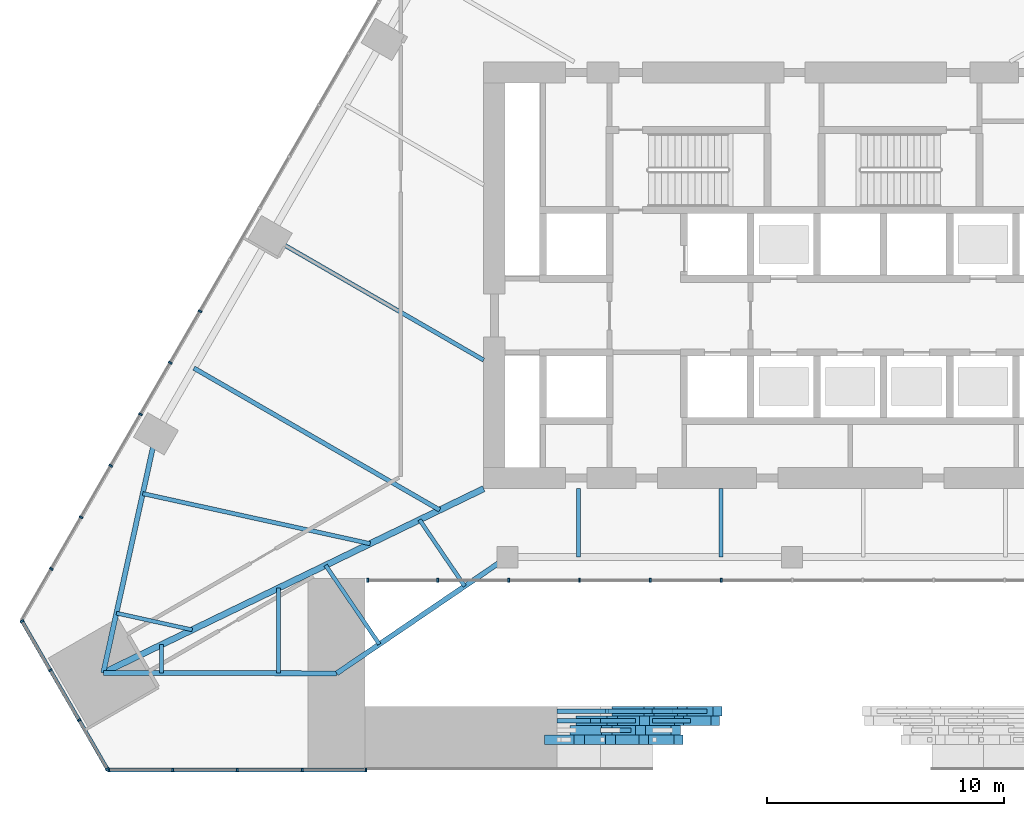
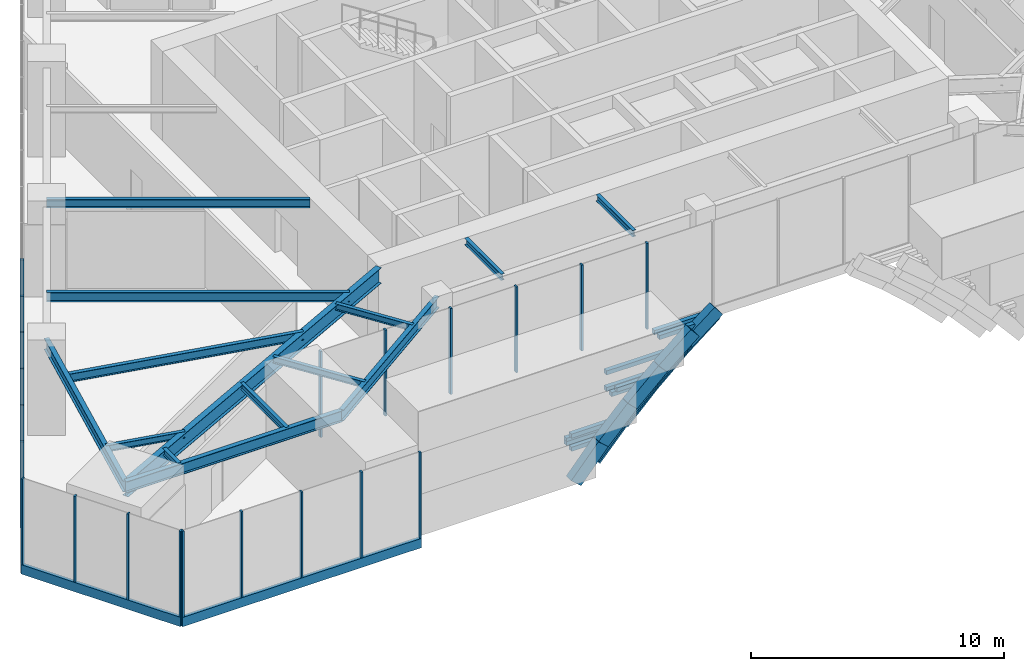
# One storey, part 2 of 23: 37 members, 24 beams, 4 elements without a shape of their own.
"""IFC4 building model written with IfcOpenShell, lengths in metres."""

from ifc_helpers import new_model, si_unit, direction, frame, origin, origin_2d, place, context, subcontext, project, spatial, rectangle, i_section, extrude, material, layer, layer_set, material_profile, profile_set, type_object, element, aggregate, save


model = new_model("IFC4")

# Units and contexts
model_context = context("Model", 3, precision=1e-05, world=origin(), true_north=direction((0.0, 1.0)))
body_context = subcontext(model_context, "Body", "Model", "MODEL_VIEW")
ifc_project = project(units=[si_unit("LENGTHUNIT", "METRE"), si_unit("AREAUNIT", "SQUARE_METRE"), si_unit("VOLUMEUNIT", "CUBIC_METRE"), si_unit("PLANEANGLEUNIT", "RADIAN"), si_unit("MASSUNIT", "GRAM", prefix="KILO")], contexts=[model_context])

# Site, building, storey
site_placement = place(None, origin())
site = spatial("IfcSite", under=ifc_project, at=site_placement, CompositionType="ELEMENT")
building_placement = place(site_placement, origin())
building = spatial("IfcBuilding", under=site, at=building_placement, Name="Firuza Gate Tower and Library", CompositionType="ELEMENT")
storey_placement = place(building_placement, frame((0.0, 0.0, 21.800048828125)))
storey = spatial("IfcBuildingStorey", under=building, at=storey_placement, Name="L04", CompositionType="ELEMENT", Elevation=21.800048828125)

# Members
ifc_material_1 = material(Name="Concrete C60/75", Category="concrete")
ifc_material_profile_1 = material_profile(ifc_material_1, rectangle(XDim=0.39990234375, YDim=0.60009765625, at=origin_2d()))
ifc_profile_set_1 = profile_set([ifc_material_profile_1], Name="Concrete C60/75")
member_type_1 = type_object("IfcMemberType", Name="Arch rib 600x400", PredefinedType="USERDEFINED", material=ifc_profile_set_1)
for number, where, z_axis, x_axis, name in (
    (1, (64.787109375, 55.415283203125, -0.5966796875), (0.64966441511, 0.0, 0.760221117662), (0.0, 1.0, 0.0), "Arch rib 1.13"),
    (2, (66.028076171875, 55.415283203125, 0.85546875), (0.691602712438, 0.0, 0.72227812382), (0.0, 1.0, 0.0), "Arch rib 1.14"),
):
    element("IfcMember", number, at=place(storey_placement, frame(where, z_axis=z_axis, x_axis=x_axis)), inside=storey, type_object=member_type_1, Name=name, ObjectType="ARCH RIB", PredefinedType="USERDEFINED", context=body_context, shape_type="SweptSolid", body=[
        extrude(rectangle(XDim=0.39990234375, YDim=0.60009765625, at=origin_2d()), origin(), (0.0, 0.0, 1.0), 1.91015625),
    ])
member_1_placement = place(storey_placement, frame((67.34912109375, 55.415283203125, 2.235107421875), z_axis=(0.731407976441, 0.0, 0.681940152798), x_axis=(0.0, 1.0, 0.0)))
element("IfcMember", 3, at=member_1_placement, inside=storey, type_object=member_type_1, Name="Arch rib 1.15", ObjectType="ARCH RIB", PredefinedType="USERDEFINED", context=body_context, shape_type="SweptSolid", body=[
    extrude(rectangle(XDim=0.39990234375, YDim=0.60009765625, at=origin_2d()), origin(), (0.0, 0.0, 1.0), 1.909912109375),
])
member_2_placement = place(storey_placement, frame((68.74609375, 55.415283203125, 3.53759765625), z_axis=(0.768703002111, 0.0, 0.639605890017), x_axis=(0.0, 1.0, 0.0)))
element("IfcMember", 4, at=member_2_placement, inside=storey, type_object=member_type_1, Name="Arch rib 1.16", ObjectType="ARCH RIB", PredefinedType="USERDEFINED", context=body_context, shape_type="SweptSolid", body=[
    extrude(rectangle(XDim=0.39990234375, YDim=0.60009765625, at=origin_2d()), origin(), (0.0, 0.0, 1.0), 1.91015625),
])
member_3_placement = place(storey_placement, frame((65.8623046875, 55.8154296875, -0.0439453125), z_axis=(0.673773716348, 0.0, 0.738937736997), x_axis=(0.0, 1.0, 0.0)))
element("IfcMember", 5, at=member_3_placement, inside=storey, type_object=member_type_1, Name="Arch rib 2.13", ObjectType="ARCH RIB", PredefinedType="USERDEFINED", context=body_context, shape_type="SweptSolid", body=[
    extrude(rectangle(XDim=0.39990234375, YDim=0.60009765625, at=origin_2d()), origin(), (0.0, 0.0, 1.0), 1.974365234375),
])
member_4_placement = place(storey_placement, frame((67.192626953125, 55.8154296875, 1.4150390625), z_axis=(0.716259700509, 0.0, 0.697833820782), x_axis=(0.0, 1.0, 0.0)))
element("IfcMember", 6, at=member_4_placement, inside=storey, type_object=member_type_1, Name="Arch rib 2.14", ObjectType="ARCH RIB", PredefinedType="USERDEFINED", context=body_context, shape_type="SweptSolid", body=[
    extrude(rectangle(XDim=0.39990234375, YDim=0.60009765625, at=origin_2d()), origin(), (0.0, 0.0, 1.0), 1.97412109375),
])
member_5_placement = place(storey_placement, frame((68.606689453125, 55.8154296875, 2.792724609375), z_axis=(0.756325143026, 0.0, 0.654195901872), x_axis=(0.0, 1.0, 0.0)))
element("IfcMember", 7, at=member_5_placement, inside=storey, type_object=member_type_1, Name="Arch rib 2.15", ObjectType="ARCH RIB", PredefinedType="USERDEFINED", context=body_context, shape_type="SweptSolid", body=[
    extrude(rectangle(XDim=0.39990234375, YDim=0.60009765625, at=origin_2d()), origin(), (0.0, 0.0, 1.0), 1.974609375),
])
member_6_placement = place(storey_placement, frame((66.119384765625, 56.21533203125, -0.466552734375), z_axis=(0.668329426171, 0.0, 0.743865430111), x_axis=(0.0, 1.0, 0.0)))
element("IfcMember", 8, at=member_6_placement, inside=storey, type_object=member_type_1, Name="Arch rib 3.13", ObjectType="ARCH RIB", PredefinedType="USERDEFINED", context=body_context, shape_type="SweptSolid", body=[
    extrude(rectangle(XDim=0.39990234375, YDim=0.60009765625, at=origin_2d()), origin(), (0.0, 0.0, 1.0), 1.932861328125),
])
for number, where, z_axis, x_axis, name in (
    (9, (67.4111328125, 56.21533203125, 0.97119140625), (0.710697844897, 0.0, 0.703497386817), (0.0, 1.0, 0.0), "Arch rib 3.14"),
    (10, (68.78466796875, 56.21533203125, 2.330810546875), (0.750648355177, 0.0, 0.660701934967), (0.0, 1.0, 0.0), "Arch rib 3.15"),
    (11, (70.2353515625, 56.21533203125, 3.607666015625), (0.787989900437, 0.0, 0.615688165234), (0.0, 1.0, 0.0), "Arch rib 3.16"),
):
    element("IfcMember", number, at=place(storey_placement, frame(where, z_axis=z_axis, x_axis=x_axis)), inside=storey, type_object=member_type_1, Name=name, ObjectType="ARCH RIB", PredefinedType="USERDEFINED", context=body_context, shape_type="SweptSolid", body=[
        extrude(rectangle(XDim=0.39990234375, YDim=0.60009765625, at=origin_2d()), origin(), (0.0, 0.0, 1.0), 1.9326171875),
    ])
member_7_placement = place(storey_placement, frame((67.6298828125, 56.615478515625, 0.527587890625), z_axis=(0.704779089361, 0.0, 0.709426835691), x_axis=(0.0, 1.0, 0.0)))
element("IfcMember", 12, at=member_7_placement, inside=storey, type_object=member_type_1, Name="Arch rib 4.14", ObjectType="ARCH RIB", PredefinedType="USERDEFINED", context=body_context, shape_type="SweptSolid", body=[
    extrude(rectangle(XDim=0.39990234375, YDim=0.60009765625, at=origin_2d()), origin(), (0.0, 0.0, 1.0), 1.89111328125),
])
member_8_placement = place(storey_placement, frame((68.962646484375, 56.615478515625, 1.869140625), z_axis=(0.744717683985, 0.0, 0.667379630465), x_axis=(0.0, 1.0, 0.0)))
element("IfcMember", 13, at=member_8_placement, inside=storey, type_object=member_type_1, Name="Arch rib 4.15", ObjectType="ARCH RIB", PredefinedType="USERDEFINED", context=body_context, shape_type="SweptSolid", body=[
    extrude(rectangle(XDim=0.39990234375, YDim=0.60009765625, at=origin_2d()), origin(), (0.0, 0.0, 1.0), 1.890869140625),
])
member_9_placement = place(storey_placement, frame((70.370849609375, 56.615478515625, 3.131103515625), z_axis=(0.782089044866, 0.0, 0.623166691906), x_axis=(0.0, 1.0, 0.0)))
element("IfcMember", 14, at=member_9_placement, inside=storey, type_object=member_type_1, Name="Arch rib 4.16", ObjectType="ARCH RIB", PredefinedType="USERDEFINED", context=body_context, shape_type="SweptSolid", body=[
    extrude(rectangle(XDim=0.39990234375, YDim=0.60009765625, at=origin_2d()), origin(), (0.0, 0.0, 1.0), 1.89111328125),
])

# Beams
ifc_material_2 = material(Name="Concrete C60/75", Category="concrete")
ifc_material_profile_2 = material_profile(ifc_material_2, rectangle(XDim=0.199951171875, YDim=0.199951171875, at=origin_2d()))
ifc_profile_set_2 = profile_set([ifc_material_profile_2], Name="Concrete C60/75")
beam_type_1 = type_object("IfcBeamType", Name="Arch rib bracket 200x200", PredefinedType="BEAM", material=ifc_profile_set_2)
beam_1_placement = place(storey_placement, frame((66.93017578125, 55.8154296875, 2.8427734375), z_axis=(1.0, 0.0, 0.0), x_axis=(0.0, 1.0, 0.0)))
element("IfcBeam", 15, at=beam_1_placement, inside=storey, type_object=beam_type_1, Name="Arch rib bracket 2.15", PredefinedType="BEAM", context=body_context, shape_type="SweptSolid", body=[
    extrude(rectangle(XDim=0.199951171875, YDim=0.199951171875, at=origin_2d()), origin(), (0.0, 0.0, 1.0), 1.285888671875),
])
beam_2_placement = place(storey_placement, frame((65.093994140625, 56.21533203125, 0.385986328125), z_axis=(1.0, 0.0, 0.0), x_axis=(0.0, 1.0, 0.0)))
element("IfcBeam", 16, at=beam_2_placement, inside=storey, type_object=beam_type_1, Name="Arch rib bracket 3.13", PredefinedType="BEAM", context=body_context, shape_type="SweptSolid", body=[
    extrude(rectangle(XDim=0.199951171875, YDim=0.199951171875, at=origin_2d()), origin(), (0.0, 0.0, 1.0), 1.398193359375),
])
beam_3_placement = place(storey_placement, frame((65.093994140625, 56.21533203125, 1.02099609375), z_axis=(1.0, 0.0, 0.0), x_axis=(0.0, 1.0, 0.0)))
element("IfcBeam", 17, at=beam_3_placement, inside=storey, type_object=beam_type_1, Name="Arch rib bracket 3.14", PredefinedType="BEAM", context=body_context, shape_type="SweptSolid", body=[
    extrude(rectangle(XDim=0.199951171875, YDim=0.199951171875, at=origin_2d()), origin(), (0.0, 0.0, 1.0), 1.951171875),
])
beam_4_placement = place(storey_placement, frame((66.93017578125, 56.21533203125, 2.380859375), z_axis=(1.0, 0.0, 0.0), x_axis=(0.0, 1.0, 0.0)))
element("IfcBeam", 18, at=beam_4_placement, inside=storey, type_object=beam_type_1, Name="Arch rib bracket 3.15", PredefinedType="BEAM", context=body_context, shape_type="SweptSolid", body=[
    extrude(rectangle(XDim=0.199951171875, YDim=0.199951171875, at=origin_2d()), origin(), (0.0, 0.0, 1.0), 1.46728515625),
])
beam_5_placement = place(storey_placement, frame((69.109375, 56.21533203125, 4.365966796875), z_axis=(1.0, 0.0, 0.0), x_axis=(0.0, 1.0, 0.0)))
element("IfcBeam", 19, at=beam_5_placement, inside=storey, type_object=beam_type_1, Name="Arch rib bracket 3.16", PredefinedType="BEAM", context=body_context, shape_type="SweptSolid", body=[
    extrude(rectangle(XDim=0.199951171875, YDim=0.199951171875, at=origin_2d()), origin(), (0.0, 0.0, 1.0), 1.619384765625),
])
beam_6_placement = place(storey_placement, frame((65.093994140625, 56.615478515625, 0.411865234375), z_axis=(1.0, 0.0, 0.0), x_axis=(0.0, 1.0, 0.0)))
element("IfcBeam", 20, at=beam_6_placement, inside=storey, type_object=beam_type_1, Name="Arch rib bracket 4.13", PredefinedType="BEAM", context=body_context, shape_type="SweptSolid", body=[
    extrude(rectangle(XDim=0.199951171875, YDim=0.199951171875, at=origin_2d()), origin(), (0.0, 0.0, 1.0), 2.04296875),
])
beam_7_placement = place(storey_placement, frame((65.093994140625, 56.615478515625, 0.57763671875), z_axis=(1.0, 0.0, 0.0), x_axis=(0.0, 1.0, 0.0)))
element("IfcBeam", 21, at=beam_7_placement, inside=storey, type_object=beam_type_1, Name="Arch rib bracket 4.14", PredefinedType="BEAM", context=body_context, shape_type="SweptSolid", body=[
    extrude(rectangle(XDim=0.199951171875, YDim=0.199951171875, at=origin_2d()), origin(), (0.0, 0.0, 1.0), 2.172607421875),
])
beam_8_placement = place(storey_placement, frame((66.93017578125, 56.615478515625, 2.384033203125), z_axis=(1.0, 0.0, 0.0), x_axis=(0.0, 1.0, 0.0)))
element("IfcBeam", 22, at=beam_8_placement, inside=storey, type_object=beam_type_1, Name="Arch rib bracket 4.15", PredefinedType="BEAM", context=body_context, shape_type="SweptSolid", body=[
    extrude(rectangle(XDim=0.199951171875, YDim=0.199951171875, at=origin_2d()), origin(), (0.0, 0.0, 1.0), 2.16748046875),
])
beam_9_placement = place(storey_placement, frame((66.93017578125, 56.615478515625, 3.18115234375), z_axis=(1.0, 0.0, 0.0), x_axis=(0.0, 1.0, 0.0)))
element("IfcBeam", 23, at=beam_9_placement, inside=storey, type_object=beam_type_1, Name="Arch rib bracket 4.16", PredefinedType="BEAM", context=body_context, shape_type="SweptSolid", body=[
    extrude(rectangle(XDim=0.199951171875, YDim=0.199951171875, at=origin_2d()), origin(), (0.0, 0.0, 1.0), 3.031982421875),
])
beam_10_placement = place(storey_placement, frame((69.109375, 56.615478515625, 4.359619140625), z_axis=(1.0, 0.0, 0.0), x_axis=(0.0, 1.0, 0.0)))
element("IfcBeam", 24, at=beam_10_placement, inside=storey, type_object=beam_type_1, Name="Arch rib bracket 4.17", PredefinedType="BEAM", context=body_context, shape_type="SweptSolid", body=[
    extrude(rectangle(XDim=0.199951171875, YDim=0.199951171875, at=origin_2d()), origin(), (0.0, 0.0, 1.0), 2.30126953125),
])

# Curtain wall, members
ifc_material_3 = material(Name="Aluminium 6063-T6", Category="aluminium")
ifc_layer_1 = layer(ifc_material_3, 0.14990234375)
ifc_layer_set_1 = layer_set([ifc_layer_1], Name="Stick curtain wall, podium")
curtain_wall_type_1 = type_object("IfcCurtainWallType", Name="Stick curtain wall, podium", PredefinedType="NOTDEFINED", material=ifc_layer_set_1)
placement = place(storey_placement, origin())
curtain_wall_1 = element("IfcCurtainWall", 25, at=placement, inside=storey, type_object=curtain_wall_type_1, Name="CW5 L04 S", PredefinedType="NOTDEFINED")
ifc_material_4 = material(Name="Aluminium 6063-T6", Category="aluminium")
ifc_material_profile_3 = material_profile(ifc_material_4, rectangle(XDim=0.14990234375, YDim=0.080078125, at=origin_2d()))
ifc_profile_set_3 = profile_set([ifc_material_profile_3], Name="Aluminium 6063-T6")
member_type_2 = type_object("IfcMemberType", Name="Curtain wall mullion 80x150", PredefinedType="MULLION", material=ifc_profile_set_3)
member_10_placement = place(storey_placement, frame((46.19677734375, 54.140380859375, 0.14990234375), z_axis=(0.0, 0.0, 1.0), x_axis=(0.0, 1.0, 0.0)))
member_10 = element("IfcMember", 26, at=member_10_placement, type_object=member_type_2, Name="Mullion", PredefinedType="MULLION", context=body_context, shape_type="SweptSolid", body=[
    extrude(rectangle(XDim=0.14990234375, YDim=0.080078125, at=origin_2d()), origin(), (0.0, 0.0, 1.0), 4.150146484375),
])
member_11_placement = place(storey_placement, frame((48.88623046875, 54.140380859375, 0.14990234375), z_axis=(0.0, 0.0, 1.0), x_axis=(0.0, 1.0, 0.0)))
member_11 = element("IfcMember", 27, at=member_11_placement, type_object=member_type_2, Name="Mullion", PredefinedType="MULLION", context=body_context, shape_type="SweptSolid", body=[
    extrude(rectangle(XDim=0.14990234375, YDim=0.080078125, at=origin_2d()), origin(), (0.0, 0.0, 1.0), 4.150146484375),
])
member_12_placement = place(storey_placement, frame((51.615966796875, 54.140380859375, 0.14990234375), z_axis=(0.0, 0.0, 1.0), x_axis=(0.0, 1.0, 0.0)))
member_12 = element("IfcMember", 28, at=member_12_placement, type_object=member_type_2, Name="Mullion", PredefinedType="MULLION", context=body_context, shape_type="SweptSolid", body=[
    extrude(rectangle(XDim=0.14990234375, YDim=0.080078125, at=origin_2d()), origin(), (0.0, 0.0, 1.0), 4.150146484375),
])
member_13_placement = place(storey_placement, frame((54.345458984375, 54.140380859375, 0.14990234375), z_axis=(0.0, 0.0, 1.0), x_axis=(0.0, 1.0, 0.0)))
member_13 = element("IfcMember", 29, at=member_13_placement, type_object=member_type_2, Name="Mullion", PredefinedType="MULLION", context=body_context, shape_type="SweptSolid", body=[
    extrude(rectangle(XDim=0.14990234375, YDim=0.080078125, at=origin_2d()), origin(), (0.0, 0.0, 1.0), 4.150146484375),
])
member_14_placement = place(storey_placement, frame((57.034912109375, 54.140380859375, 0.14990234375), z_axis=(0.0, 0.0, 1.0), x_axis=(0.0, 1.0, 0.0)))
member_14 = element("IfcMember", 30, at=member_14_placement, type_object=member_type_2, Name="Mullion", PredefinedType="MULLION", context=body_context, shape_type="SweptSolid", body=[
    extrude(rectangle(XDim=0.14990234375, YDim=0.080078125, at=origin_2d()), origin(), (0.0, 0.0, 1.0), 4.150146484375),
])

ifc_material_5 = material(Name="Aluminium 6063-T6", Category="aluminium")
ifc_layer_2 = layer(ifc_material_5, 0.14990234375)
ifc_layer_set_2 = layer_set([ifc_layer_2], Name="Stick curtain wall, gate lobby")
curtain_wall_type_2 = type_object("IfcCurtainWallType", Name="Stick curtain wall, gate lobby", PredefinedType="NOTDEFINED", material=ifc_layer_set_2)
curtain_wall_2 = element("IfcCurtainWall", 31, at=placement, inside=storey, type_object=curtain_wall_type_2, Name="CW7 L04 gate lobby", PredefinedType="NOTDEFINED")
member_15_placement = place(storey_placement, frame((57.114990234375, 62.140380859375, 0.14990234375), z_axis=(0.0, 0.0, 1.0), x_axis=(0.0, 1.0, 0.0)))
member_15 = element("IfcMember", 32, at=member_15_placement, type_object=member_type_2, Name="Mullion", PredefinedType="MULLION", context=body_context, shape_type="SweptSolid", body=[
    extrude(rectangle(XDim=0.14990234375, YDim=0.080078125, at=origin_2d()), origin(), (0.0, 0.0, 1.0), 4.150146484375),
])
member_16_placement = place(storey_placement, frame((60.0625, 62.140380859375, 0.14990234375), z_axis=(0.0, 0.0, 1.0), x_axis=(0.0, 1.0, 0.0)))
member_16 = element("IfcMember", 33, at=member_16_placement, type_object=member_type_2, Name="Mullion", PredefinedType="MULLION", context=body_context, shape_type="SweptSolid", body=[
    extrude(rectangle(XDim=0.14990234375, YDim=0.080078125, at=origin_2d()), origin(), (0.0, 0.0, 1.0), 4.150146484375),
])
member_17_placement = place(storey_placement, frame((63.050048828125, 62.140380859375, 0.14990234375), z_axis=(0.0, 0.0, 1.0), x_axis=(0.0, 1.0, 0.0)))
member_17 = element("IfcMember", 34, at=member_17_placement, type_object=member_type_2, Name="Mullion", PredefinedType="MULLION", context=body_context, shape_type="SweptSolid", body=[
    extrude(rectangle(XDim=0.14990234375, YDim=0.080078125, at=origin_2d()), origin(), (0.0, 0.0, 1.0), 4.150146484375),
])
member_18_placement = place(storey_placement, frame((66.03759765625, 62.140380859375, 0.14990234375), z_axis=(0.0, 0.0, 1.0), x_axis=(0.0, 1.0, 0.0)))
member_18 = element("IfcMember", 35, at=member_18_placement, type_object=member_type_2, Name="Mullion", PredefinedType="MULLION", context=body_context, shape_type="SweptSolid", body=[
    extrude(rectangle(XDim=0.14990234375, YDim=0.080078125, at=origin_2d()), origin(), (0.0, 0.0, 1.0), 4.150146484375),
])
member_19_placement = place(storey_placement, frame((69.02490234375, 62.140380859375, 0.14990234375), z_axis=(0.0, 0.0, 1.0), x_axis=(0.0, 1.0, 0.0)))
member_19 = element("IfcMember", 36, at=member_19_placement, type_object=member_type_2, Name="Mullion", PredefinedType="MULLION", context=body_context, shape_type="SweptSolid", body=[
    extrude(rectangle(XDim=0.14990234375, YDim=0.080078125, at=origin_2d()), origin(), (0.0, 0.0, 1.0), 4.150146484375),
])
member_20_placement = place(storey_placement, frame((72.012451171875, 62.140380859375, 0.14990234375), z_axis=(0.0, 0.0, 1.0), x_axis=(0.0, 1.0, 0.0)))
member_20 = element("IfcMember", 37, at=member_20_placement, type_object=member_type_2, Name="Mullion", PredefinedType="MULLION", context=body_context, shape_type="SweptSolid", body=[
    extrude(rectangle(XDim=0.14990234375, YDim=0.080078125, at=origin_2d()), origin(), (0.0, 0.0, 1.0), 4.150146484375),
])
aggregate(curtain_wall_2, [member_15, member_16, member_17, member_18, member_19, member_20])

curtain_wall_3 = element("IfcCurtainWall", 38, at=placement, inside=storey, type_object=curtain_wall_type_1, Name="CW5 L04 W", PredefinedType="NOTDEFINED")
member_21_placement = place(storey_placement, frame((50.037841796875, 73.4833984375, 0.14990234375), z_axis=(0.0, 0.0, 1.0), x_axis=(0.866025403784, -0.5, 0.0)))
member_21 = element("IfcMember", 39, at=member_21_placement, type_object=member_type_2, Name="Mullion", PredefinedType="MULLION", context=body_context, shape_type="SweptSolid", body=[
    extrude(rectangle(XDim=0.14990234375, YDim=0.080078125, at=origin_2d()), origin(), (0.0, 0.0, 1.0), 4.150146484375),
])
member_22_placement = place(storey_placement, frame((48.78369140625, 71.311279296875, 0.14990234375), z_axis=(0.0, 0.0, 1.0), x_axis=(0.866025403784, -0.5, 0.0)))
member_22 = element("IfcMember", 40, at=member_22_placement, type_object=member_type_2, Name="Mullion", PredefinedType="MULLION", context=body_context, shape_type="SweptSolid", body=[
    extrude(rectangle(XDim=0.14990234375, YDim=0.080078125, at=origin_2d()), origin(), (0.0, 0.0, 1.0), 4.150146484375),
])
member_23_placement = place(storey_placement, frame((47.529541015625, 69.13916015625, 0.14990234375), z_axis=(0.0, 0.0, 1.0), x_axis=(0.866025403784, -0.5, 0.0)))
member_23 = element("IfcMember", 41, at=member_23_placement, type_object=member_type_2, Name="Mullion", PredefinedType="MULLION", context=body_context, shape_type="SweptSolid", body=[
    extrude(rectangle(XDim=0.14990234375, YDim=0.080078125, at=origin_2d()), origin(), (0.0, 0.0, 1.0), 4.150146484375),
])
member_24_placement = place(storey_placement, frame((46.275634765625, 66.967041015625, 0.14990234375), z_axis=(0.0, 0.0, 1.0), x_axis=(0.866025403784, -0.5, 0.0)))
member_24 = element("IfcMember", 42, at=member_24_placement, type_object=member_type_2, Name="Mullion", PredefinedType="MULLION", context=body_context, shape_type="SweptSolid", body=[
    extrude(rectangle(XDim=0.14990234375, YDim=0.080078125, at=origin_2d()), origin(), (0.0, 0.0, 1.0), 4.150146484375),
])
member_25_placement = place(storey_placement, frame((45.021484375, 64.794921875, 0.14990234375), z_axis=(0.0, 0.0, 1.0), x_axis=(0.866025403784, -0.5, 0.0)))
member_25 = element("IfcMember", 43, at=member_25_placement, type_object=member_type_2, Name="Mullion", PredefinedType="MULLION", context=body_context, shape_type="SweptSolid", body=[
    extrude(rectangle(XDim=0.14990234375, YDim=0.080078125, at=origin_2d()), origin(), (0.0, 0.0, 1.0), 4.150146484375),
])
member_26_placement = place(storey_placement, frame((43.767333984375, 62.622802734375, 0.14990234375), z_axis=(0.0, 0.0, 1.0), x_axis=(0.866025403784, -0.5, 0.0)))
member_26 = element("IfcMember", 44, at=member_26_placement, type_object=member_type_2, Name="Mullion", PredefinedType="MULLION", context=body_context, shape_type="SweptSolid", body=[
    extrude(rectangle(XDim=0.14990234375, YDim=0.080078125, at=origin_2d()), origin(), (0.0, 0.0, 1.0), 4.150146484375),
])
aggregate(curtain_wall_3, [member_21, member_22, member_23, member_24, member_25, member_26])

curtain_wall_4 = element("IfcCurtainWall", 45, at=placement, inside=storey, type_object=curtain_wall_type_1, Name="CW5 L04 SW", PredefinedType="NOTDEFINED")
member_27_placement = place(storey_placement, frame((42.533447265625, 60.416015625, 0.14990234375), z_axis=(0.0, 0.0, 1.0), x_axis=(0.866025403784, 0.5, 0.0)))
member_27 = element("IfcMember", 46, at=member_27_placement, type_object=member_type_2, Name="Mullion", PredefinedType="MULLION", context=body_context, shape_type="SweptSolid", body=[
    extrude(rectangle(XDim=0.14990234375, YDim=0.080078125, at=origin_2d()), origin(), (0.0, 0.0, 1.0), 4.150146484375),
])
member_28_placement = place(storey_placement, frame((43.727783203125, 58.347412109375, 0.14990234375), z_axis=(0.0, 0.0, 1.0), x_axis=(0.866025403784, 0.5, 0.0)))
member_28 = element("IfcMember", 47, at=member_28_placement, type_object=member_type_2, Name="Mullion", PredefinedType="MULLION", context=body_context, shape_type="SweptSolid", body=[
    extrude(rectangle(XDim=0.14990234375, YDim=0.080078125, at=origin_2d()), origin(), (0.0, 0.0, 1.0), 4.150146484375),
])
member_29_placement = place(storey_placement, frame((44.9423828125, 56.243896484375, 0.14990234375), z_axis=(0.0, 0.0, 1.0), x_axis=(0.866025403784, 0.5, 0.0)))
member_29 = element("IfcMember", 48, at=member_29_placement, type_object=member_type_2, Name="Mullion", PredefinedType="MULLION", context=body_context, shape_type="SweptSolid", body=[
    extrude(rectangle(XDim=0.14990234375, YDim=0.080078125, at=origin_2d()), origin(), (0.0, 0.0, 1.0), 4.150146484375),
])
member_30_placement = place(storey_placement, frame((46.13671875, 54.175048828125, 0.14990234375), z_axis=(0.0, 0.0, 1.0), x_axis=(0.866025403784, 0.5, 0.0)))
member_30 = element("IfcMember", 49, at=member_30_placement, type_object=member_type_2, Name="Mullion", PredefinedType="MULLION", context=body_context, shape_type="SweptSolid", body=[
    extrude(rectangle(XDim=0.14990234375, YDim=0.080078125, at=origin_2d()), origin(), (0.0, 0.0, 1.0), 4.150146484375),
])

# Member
ifc_material_6 = material(Name="Aluminium 6063-T6", Category="aluminium")
ifc_material_profile_4 = material_profile(ifc_material_6, rectangle(XDim=0.14990234375, YDim=0.449951171875, at=origin_2d()))
ifc_profile_set_4 = profile_set([ifc_material_profile_4], Name="Aluminium 6063-T6")
member_type_3 = type_object("IfcMemberType", Name="Curtain wall transom 450x150", PredefinedType="USERDEFINED", material=ifc_profile_set_4)
member_31_placement = place(storey_placement, frame((46.15673828125, 54.140380859375, -0.074951171875), z_axis=(1.0, 0.0, 0.0), x_axis=(0.0, 1.0, 0.0)))
member_31 = element("IfcMember", 50, at=member_31_placement, type_object=member_type_3, Name="Transom", ObjectType="TRANSOM", PredefinedType="USERDEFINED", context=body_context, shape_type="SweptSolid", body=[
    extrude(rectangle(XDim=0.14990234375, YDim=0.449951171875, at=origin_2d()), origin(), (0.0, 0.0, 1.0), 10.918212890625),
])

aggregate(curtain_wall_1, [member_10, member_11, member_12, member_13, member_14, member_31])

member_32_placement = place(storey_placement, frame((42.513427734375, 60.45068359375, -0.074951171875), z_axis=(0.500005719219, -0.866022101766, 0.0), x_axis=(0.866022101766, 0.500005719219, 0.0)))
member_32 = element("IfcMember", 51, at=member_32_placement, type_object=member_type_3, Name="Transom", ObjectType="TRANSOM", PredefinedType="USERDEFINED", context=body_context, shape_type="SweptSolid", body=[
    extrude(rectangle(XDim=0.14990234375, YDim=0.449951171875, at=origin_2d()), origin(), (0.0, 0.0, 1.0), 7.28662109375),
])

aggregate(curtain_wall_4, [member_27, member_28, member_29, member_30, member_32])

# Beams
ifc_material_7 = material(Name="Steel S355", Category="steel")
ifc_material_profile_5 = material_profile(ifc_material_7, i_section(OverallWidth=0.1650390625, OverallDepth=0.31005859375, WebThickness=0.005859375, FlangeThickness=0.009765625, at=origin_2d()))
ifc_profile_set_5 = profile_set([ifc_material_profile_5], Name="Steel S355")
beam_type_2 = type_object("IfcBeamType", Name="W310x39 Floor beam", PredefinedType="JOIST", material=ifc_profile_set_5)
beam_11_placement = place(storey_placement, frame((46.513916015625, 60.75341796875, 4.14501953125), z_axis=(0.976601243751, -0.215058156564, 0.0), x_axis=(0.215058156564, 0.976601243751, 0.0)))
element("IfcBeam", 52, at=beam_11_placement, inside=storey, type_object=beam_type_2, Name="Floor beam L04 s01", PredefinedType="JOIST", context=body_context, shape_type="SweptSolid", body=[
    extrude(i_section(OverallWidth=0.1650390625, OverallDepth=0.31005859375, WebThickness=0.005859375, FlangeThickness=0.009765625, at=origin_2d()), origin(), (0.0, 0.0, 1.0), 3.27294921875),
])
beam_12_placement = place(storey_placement, frame((48.419189453125, 58.228759765625, 4.14501953125), z_axis=(0.00183635683, 0.999998313895, 0.0), x_axis=(-0.999998313895, 0.00183635683, 0.0)))
element("IfcBeam", 53, at=beam_12_placement, inside=storey, type_object=beam_type_2, Name="Floor beam L04 s10", PredefinedType="JOIST", context=body_context, shape_type="SweptSolid", body=[
    extrude(i_section(OverallWidth=0.1650390625, OverallDepth=0.31005859375, WebThickness=0.005859375, FlangeThickness=0.009765625, at=origin_2d()), origin(), (0.0, 0.0, 1.0), 1.196533203125),
])
beam_13_placement = place(storey_placement, frame((53.339599609375, 58.2197265625, 4.14501953125), z_axis=(0.001836107072, 0.999998314354, 0.0), x_axis=(-0.999998314354, 0.001836107072, 0.0)))
element("IfcBeam", 54, at=beam_13_placement, inside=storey, type_object=beam_type_2, Name="Floor beam L04 s11", PredefinedType="JOIST", context=body_context, shape_type="SweptSolid", body=[
    extrude(i_section(OverallWidth=0.1650390625, OverallDepth=0.31005859375, WebThickness=0.005859375, FlangeThickness=0.009765625, at=origin_2d()), origin(), (0.0, 0.0, 1.0), 3.590087890625),
])
beam_14_placement = place(storey_placement, frame((57.60009765625, 59.4404296875, 4.14501953125), z_axis=(-0.562657973934, 0.826689787265, 0.0), x_axis=(-0.826689787265, -0.562657973934, 0.0)))
element("IfcBeam", 55, at=beam_14_placement, inside=storey, type_object=beam_type_2, Name="Floor beam L04 s20", PredefinedType="JOIST", context=body_context, shape_type="SweptSolid", body=[
    extrude(i_section(OverallWidth=0.1650390625, OverallDepth=0.31005859375, WebThickness=0.005859375, FlangeThickness=0.009765625, at=origin_2d()), origin(), (0.0, 0.0, 1.0), 4.02978515625),
])
beam_15_placement = place(storey_placement, frame((61.199951171875, 61.890380859375, 4.14501953125), z_axis=(-0.562593933168, 0.826733370781, 0.0), x_axis=(-0.826733370781, -0.562593933168, 0.0)))
element("IfcBeam", 56, at=beam_15_placement, inside=storey, type_object=beam_type_2, Name="Floor beam L04 s21", PredefinedType="JOIST", context=body_context, shape_type="SweptSolid", body=[
    extrude(i_section(OverallWidth=0.1650390625, OverallDepth=0.31005859375, WebThickness=0.005859375, FlangeThickness=0.009765625, at=origin_2d()), origin(), (0.0, 0.0, 1.0), 3.386474609375),
])
for number, where, z_axis, x_axis, name in (
    (57, (66.0, 63.115478515625, 4.14501953125), (0.0, 1.0, 0.0), (-1.0, 0.0, 0.0), "Floor beam L04 s30"),
    (58, (72.0, 63.115478515625, 4.14501953125), (0.0, 1.0, 0.0), (-1.0, 0.0, 0.0), "Floor beam L04 s31"),
):
    element("IfcBeam", number, at=place(storey_placement, frame(where, z_axis=z_axis, x_axis=x_axis)), inside=storey, type_object=beam_type_2, Name=name, PredefinedType="JOIST", context=body_context, shape_type="SweptSolid", body=[
        extrude(i_section(OverallWidth=0.1650390625, OverallDepth=0.31005859375, WebThickness=0.005859375, FlangeThickness=0.009765625, at=origin_2d()), origin(), (0.0, 0.0, 1.0), 2.884521484375),
    ])
ifc_material_8 = material(Name="Steel S355", Category="steel")
ifc_material_profile_6 = material_profile(ifc_material_8, i_section(OverallWidth=0.177978515625, OverallDepth=0.406982421875, WebThickness=0.0078125, FlangeThickness=0.0126953125, at=origin_2d()))
ifc_profile_set_6 = profile_set([ifc_material_profile_6], Name="Steel S355")
beam_type_3 = type_object("IfcBeamType", Name="W410x60 Floor beam", PredefinedType="JOIST", material=ifc_profile_set_6)
beam_16_placement = place(storey_placement, frame((47.624267578125, 65.794189453125, 4.096435546875), z_axis=(0.97658964753, -0.215110809441, 0.0), x_axis=(0.215110809441, 0.97658964753, 0.0)))
element("IfcBeam", 59, at=beam_16_placement, inside=storey, type_object=beam_type_3, Name="Floor beam L04 s00", PredefinedType="JOIST", context=body_context, shape_type="SweptSolid", body=[
    extrude(i_section(OverallWidth=0.177978515625, OverallDepth=0.406982421875, WebThickness=0.0078125, FlangeThickness=0.0126953125, at=origin_2d()), origin(), (0.0, 0.0, 1.0), 9.818359375),
])
beam_17_placement = place(storey_placement, frame((52.9794921875, 76.62841796875, 4.096435546875), z_axis=(0.866024771944, -0.500001094379, 0.0), x_axis=(0.500001094379, 0.866024771944, 0.0)))
element("IfcBeam", 60, at=beam_17_placement, inside=storey, type_object=beam_type_3, Name="Floor beam L04 s104", PredefinedType="JOIST", context=body_context, shape_type="SweptSolid", body=[
    extrude(i_section(OverallWidth=0.177978515625, OverallDepth=0.406982421875, WebThickness=0.0078125, FlangeThickness=0.0126953125, at=origin_2d()), origin(), (0.0, 0.0, 1.0), 10.416015625),
])
ifc_material_9 = material(Name="Steel S355", Category="steel")
ifc_material_profile_7 = material_profile(ifc_material_9, i_section(OverallWidth=0.18994140625, OverallDepth=0.45703125, WebThickness=0.009033203125, FlangeThickness=0.014404296875, at=origin_2d()))
ifc_profile_set_7 = profile_set([ifc_material_profile_7], Name="Steel S355")
beam_type_4 = type_object("IfcBeamType", Name="W460x74 Floor beam", PredefinedType="JOIST", material=ifc_profile_set_7)
beam_18_placement = place(storey_placement, frame((49.779541015625, 71.0859375, 4.071533203125), z_axis=(0.866020154196, -0.500009092443, 0.0), x_axis=(0.500009092443, 0.866020154196, 0.0)))
element("IfcBeam", 61, at=beam_18_placement, inside=storey, type_object=beam_type_4, Name="Floor beam L04 s105", PredefinedType="JOIST", context=body_context, shape_type="SweptSolid", body=[
    extrude(i_section(OverallWidth=0.18994140625, OverallDepth=0.45703125, WebThickness=0.009033203125, FlangeThickness=0.014404296875, at=origin_2d()), origin(), (0.0, 0.0, 1.0), 11.968505859375),
])
ifc_material_10 = material(Name="Steel S355", Category="steel")
ifc_material_profile_8 = material_profile(ifc_material_10, i_section(OverallWidth=0.212890625, OverallDepth=0.5390625, WebThickness=0.01171875, FlangeThickness=0.018798828125, at=origin_2d()))
ifc_profile_set_8 = profile_set([ifc_material_profile_8], Name="Steel S355")
beam_type_5 = type_object("IfcBeamType", Name="W530x109 Edge beam", PredefinedType="SPANDREL", material=ifc_profile_set_8)
beam_19_placement = place(storey_placement, frame((48.179443359375, 68.314697265625, 4.030517578125), z_axis=(-0.215117130091, -0.976588255275, 0.0), x_axis=(0.976588255275, -0.215117130091, 0.0)))
element("IfcBeam", 62, at=beam_19_placement, inside=storey, type_object=beam_type_5, Name="Edge beam L04 e00", PredefinedType="SPANDREL", context=body_context, shape_type="SweptSolid", body=[
    extrude(i_section(OverallWidth=0.212890625, OverallDepth=0.5390625, WebThickness=0.01171875, FlangeThickness=0.018798828125, at=origin_2d()), origin(), (0.0, 0.0, 1.0), 10.3232421875),
])
beam_20_placement = place(storey_placement, frame((45.958740234375, 58.233154296875, 4.030517578125), z_axis=(0.999998360207, -0.001810962051, 0.0), x_axis=(0.001810962051, 0.999998360207, 0.0)))
element("IfcBeam", 63, at=beam_20_placement, inside=storey, type_object=beam_type_5, Name="Edge beam L04 e10", PredefinedType="SPANDREL", context=body_context, shape_type="SweptSolid", body=[
    extrude(i_section(OverallWidth=0.212890625, OverallDepth=0.5390625, WebThickness=0.01171875, FlangeThickness=0.018798828125, at=origin_2d()), origin(), (0.0, 0.0, 1.0), 9.84130859375),
])
beam_21_placement = place(storey_placement, frame((55.800048828125, 58.21533203125, 4.030517578125), z_axis=(0.826703281934, 0.562638146272, 0.0), x_axis=(-0.562638146272, 0.826703281934, 0.0)))
element("IfcBeam", 64, at=beam_21_placement, inside=storey, type_object=beam_type_5, Name="Edge beam L04 e20", PredefinedType="SPANDREL", context=body_context, shape_type="SweptSolid", body=[
    extrude(i_section(OverallWidth=0.212890625, OverallDepth=0.5390625, WebThickness=0.01171875, FlangeThickness=0.018798828125, at=origin_2d()), origin(), (0.0, 0.0, 1.0), 8.709228515625),
])
ifc_material_11 = material(Name="Steel S355", Category="steel")
ifc_material_profile_9 = material_profile(ifc_material_11, i_section(OverallWidth=0.264892578125, OverallDepth=0.7529296875, WebThickness=0.01318359375, FlangeThickness=0.01708984375, at=origin_2d()))
ifc_profile_set_9 = profile_set([ifc_material_profile_9], Name="Steel S355")
beam_type_6 = type_object("IfcBeamType", Name="W760x147 Girder", PredefinedType="BEAM", material=ifc_profile_set_9)
beam_22_placement = place(storey_placement, frame((45.958740234375, 58.233154296875, 3.92333984375), z_axis=(0.900050421894, 0.43578577082, 0.0), x_axis=(-0.43578577082, 0.900050421894, 0.0)))
element("IfcBeam", 65, at=beam_22_placement, inside=storey, type_object=beam_type_6, Name="Girder L04 gSW", PredefinedType="BEAM", context=body_context, shape_type="SweptSolid", body=[
    extrude(i_section(OverallWidth=0.264892578125, OverallDepth=0.7529296875, WebThickness=0.01318359375, FlangeThickness=0.01708984375, at=origin_2d()), origin(), (0.0, 0.0, 1.0), 17.822509765625),
])

save(model, "model.ifc")
